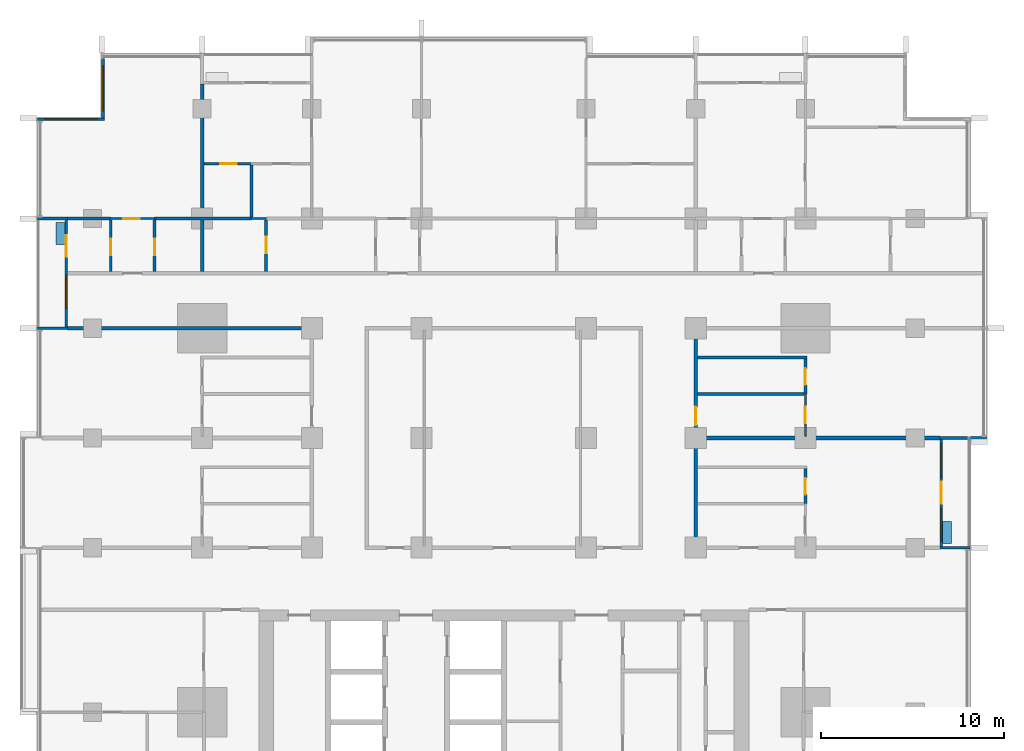
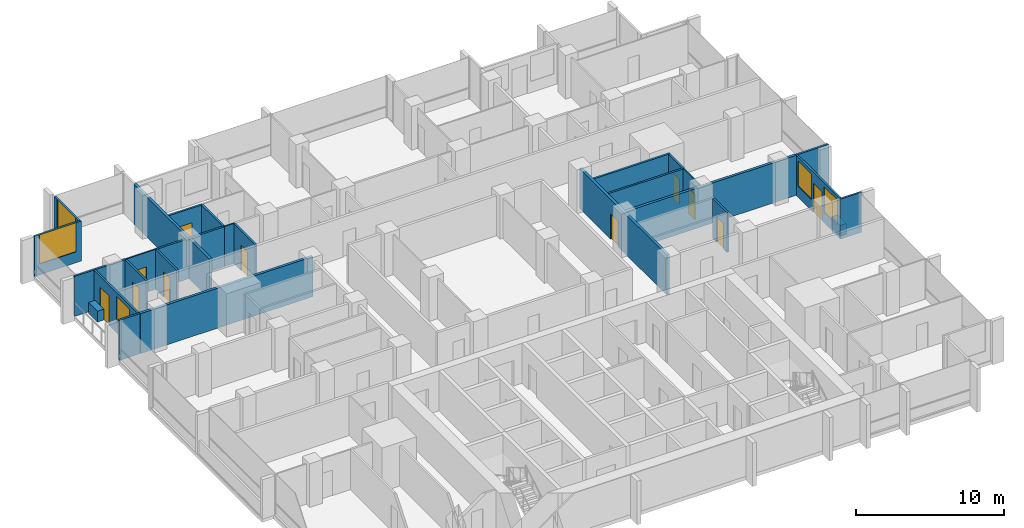
# One storey, part 10 of 17: 29 walls, 11 doors, 5 windows, 16 openings.
"""IFC4 building model written with IfcOpenShell, lengths in metres."""

from ifc_helpers import new_model, si_unit, direction, frame, frame_2d, origin, place, context, subcontext, project, spatial, rectangle, extrude, material, layer, layer_set, type_object, element, fill, save


model = new_model("IFC4")

# Units and contexts
model_context = context("Model", 3, precision=1e-05, world=origin(), true_north=direction((0.0, 1.0)))
body_context = subcontext(model_context, "Body", "Model", "MODEL_VIEW")
ifc_project = project(units=[si_unit("LENGTHUNIT", "METRE"), si_unit("AREAUNIT", "SQUARE_METRE"), si_unit("VOLUMEUNIT", "CUBIC_METRE"), si_unit("PLANEANGLEUNIT", "RADIAN"), si_unit("MASSUNIT", "GRAM", prefix="KILO")], contexts=[model_context])

# Site, building, storey
site_placement = place(None, origin())
site = spatial("IfcSite", under=ifc_project, at=site_placement, CompositionType="ELEMENT")
building_placement = place(site_placement, origin())
building = spatial("IfcBuilding", under=site, at=building_placement, Name="Finial Court Residences", CompositionType="ELEMENT")
storey_placement = place(building_placement, frame((0.0, 0.0, 120.699951171875)))
storey = spatial("IfcBuildingStorey", under=building, at=storey_placement, Name="L30", CompositionType="ELEMENT", Elevation=120.699951171875)

# Walls
ifc_material_1 = material(Name="Gypsum board")
ifc_layer_1 = layer(ifc_material_1, 0.02490234375)
ifc_material_2 = material(Name="Acoustic mineral wool in double frame")
ifc_layer_2 = layer(ifc_material_2, 0.14990234375)
ifc_layer_3 = layer(ifc_material_1, 0.02490234375)
ifc_layer_set_1 = layer_set([ifc_layer_1, ifc_layer_2, ifc_layer_3], Name="Acoustic party wall 200, 1 hour")
wall_type_1 = type_object("IfcWallType", Name="Acoustic party wall 200, 1 hour", PredefinedType="PARTITIONING", material=ifc_layer_set_1)
wall_1_placement = place(storey_placement, frame((10.60009765625, 1.5, 0.0), z_axis=(0.0, 0.0, 1.0), x_axis=(1.0, 0.0, 0.0)))
element("IfcWall", 1, at=wall_1_placement, inside=storey, type_object=wall_type_1, Name="Partition L30-018", PredefinedType="PARTITIONING", context=body_context, shape_type="SweptSolid", body=[
    extrude(rectangle(XDim=13.25, YDim=0.199951171875, at=frame_2d((6.625, 0.0))), origin(), (0.0, 0.0, 1.0), 3.300048828125),
])
wall_2_placement = place(storey_placement, frame((-16.5, 10.60009765625, 0.0), z_axis=(0.0, 0.0, 1.0), x_axis=(0.0, 1.0, 0.0)))
element("IfcWall", 2, at=wall_2_placement, inside=storey, type_object=wall_type_1, Name="Partition L30-048", PredefinedType="PARTITIONING", context=body_context, shape_type="SweptSolid", body=[
    extrude(rectangle(XDim=2.824951171875, YDim=0.199951171875, at=frame_2d((1.41259765625, 0.0))), origin(), (0.0, 0.0, 1.0), 3.300048828125),
])
wall_3_placement = place(storey_placement, frame((-16.5, 13.574951171875, 0.0), z_axis=(0.0, 0.0, 1.0), x_axis=(0.0, 1.0, 0.0)))
element("IfcWall", 3, at=wall_3_placement, inside=storey, type_object=wall_type_1, Name="Partition L30-049", PredefinedType="PARTITIONING", context=body_context, shape_type="SweptSolid", body=[
    extrude(rectangle(XDim=7.275146484375, YDim=0.199951171875, at=frame_2d((3.6376953125, 0.0))), origin(), (0.0, 0.0, 1.0), 3.300048828125),
])
ifc_layer_4 = layer(ifc_material_1, 0.02490234375)
ifc_layer_5 = layer(ifc_material_2, 0.14990234375)
ifc_layer_6 = layer(ifc_material_1, 0.02490234375)
ifc_layer_set_2 = layer_set([ifc_layer_4, ifc_layer_5, ifc_layer_6], Name="Corridor wall 200, 1 hour")
wall_type_2 = type_object("IfcWallType", Name="Corridor wall 200, 1 hour", PredefinedType="PARTITIONING", material=ifc_layer_set_2)
wall_4_placement = place(storey_placement, frame((-23.85009765625, 7.5, 0.0), z_axis=(0.0, 0.0, 1.0), x_axis=(1.0, 0.0, 0.0)))
element("IfcWall", 4, at=wall_4_placement, inside=storey, type_object=wall_type_2, Name="Partition L30-023", PredefinedType="PARTITIONING", context=body_context, shape_type="SweptSolid", body=[
    extrude(rectangle(XDim=13.4501953125, YDim=0.199951171875, at=frame_2d((6.72509765625, 0.0))), origin(), (0.0, 0.0, 1.0), 3.300048828125),
])

# Wall, opening, door
wall_5_placement = place(storey_placement, frame((10.5, -4.39990234375, 0.0), z_axis=(0.0, 0.0, 1.0), x_axis=(0.0, 1.0, 0.0)))
wall_5 = element("IfcWall", 5, at=wall_5_placement, inside=storey, type_object=wall_type_2, Name="Partition L30-067", PredefinedType="PARTITIONING", context=body_context, shape_type="SweptSolid", body=[
    extrude(rectangle(XDim=11.7998046875, YDim=0.199951171875, at=frame_2d((5.89990234375, 0.0))), origin(), (0.0, 0.0, 1.0), 3.300048828125),
])
opening_1_placement = place(wall_5_placement, frame((6.60009765625, 0.0, 0.0)))
opening_1 = element("IfcOpeningElement", 6, at=opening_1_placement, cuts=wall_5, Name="Opening L30-D038", PredefinedType="OPENING", context=body_context, shape_type="SweptSolid", body=[
    extrude(rectangle(XDim=1.0, YDim=2.10009765625, at=frame_2d((0.5, 1.050048828125))), frame((0.0, 0.10986328125, 0.0), z_axis=(0.0, -1.0, 0.0), x_axis=(1.0, 0.0, 0.0)), (0.0, 0.0, 1.0), 0.219970703125),
])
ifc_material_3 = material(Name="Timber door leaf in hollow metal frame", Category="wood")
door_type_1 = type_object("IfcDoorType", Name="Fire door set 1000 x 2100, 30 minutes", OperationType="SINGLE_SWING_LEFT", PredefinedType="DOOR", material=ifc_material_3)
door_1_placement = place(opening_1_placement, origin())
door_1 = element("IfcDoor", 7, at=door_1_placement, inside=storey, type_object=door_type_1, Name="Door L30-D038", OperationType="SINGLE_SWING_RIGHT", OverallHeight=2.10009765625, OverallWidth=1.0, PredefinedType="DOOR", context=body_context, shape_type="SweptSolid", body=[
    extrude(rectangle(XDim=1.0, YDim=2.10009765625, at=frame_2d((0.5, 1.050048828125))), frame((0.0, 0.02490234375, 0.0), z_axis=(0.0, -1.0, 0.0), x_axis=(1.0, 0.0, 0.0)), (0.0, 0.0, 1.0), 0.050048828125),
])
fill(opening_1, door_1)

ifc_layer_7 = layer(ifc_material_1, 0.012451171875)
ifc_material_4 = material(Name="Mineral wool in light-gauge frame")
ifc_layer_8 = layer(ifc_material_4, 0.074951171875)
ifc_layer_9 = layer(ifc_material_1, 0.012451171875)
ifc_layer_set_3 = layer_set([ifc_layer_7, ifc_layer_8, ifc_layer_9], Name="Gypsum board partition 100")
wall_type_3 = type_object("IfcWallType", Name="Gypsum board partition 100", PredefinedType="PARTITIONING", material=ifc_layer_set_3)
wall_6_placement = place(storey_placement, frame((-21.5, 13.5, 0.0), z_axis=(0.0, 0.0, 1.0), x_axis=(1.0, 0.0, 0.0)))
wall_6 = element("IfcWall", 8, at=wall_6_placement, inside=storey, type_object=wall_type_3, Name="Partition L30-027", PredefinedType="PARTITIONING", context=body_context, shape_type="SweptSolid", body=[
    extrude(rectangle(XDim=2.39990234375, YDim=0.10009765625, at=frame_2d((1.199951171875, 0.0))), origin(), (0.0, 0.0, 1.0), 3.300048828125),
])
opening_2_placement = place(wall_6_placement, frame((0.699951171875, 0.0, 0.0)))
opening_2 = element("IfcOpeningElement", 9, at=opening_2_placement, cuts=wall_6, Name="Opening L30-D015", PredefinedType="OPENING", context=body_context, shape_type="SweptSolid", body=[
    extrude(rectangle(XDim=0.89990234375, YDim=2.10009765625, at=frame_2d((0.449951171875, 1.050048828125))), frame((0.0, 0.06005859375, 0.0), z_axis=(0.0, -1.0, 0.0), x_axis=(1.0, 0.0, 0.0)), (0.0, 0.0, 1.0), 0.1201171875),
])
ifc_material_5 = material(Name="Timber door leaf in timber frame", Category="wood")
door_type_2 = type_object("IfcDoorType", Name="Door set 900 x 2100", OperationType="SINGLE_SWING_LEFT", PredefinedType="DOOR", material=ifc_material_5)
door_2_placement = place(opening_2_placement, origin())
door_2 = element("IfcDoor", 10, at=door_2_placement, inside=storey, type_object=door_type_2, Name="Door L30-D015", OperationType="SINGLE_SWING_RIGHT", OverallHeight=2.10009765625, OverallWidth=0.89990234375, PredefinedType="DOOR", context=body_context, shape_type="SweptSolid", body=[
    extrude(rectangle(XDim=0.89990234375, YDim=2.10009765625, at=frame_2d((0.449951171875, 1.050048828125))), frame((0.0, 0.02490234375, 0.0), z_axis=(0.0, -1.0, 0.0), x_axis=(1.0, 0.0, 0.0)), (0.0, 0.0, 1.0), 0.050048828125),
])
fill(opening_2, door_2)

# Wall
wall_7_placement = place(storey_placement, frame((-13.800048828125, 13.5, 0.0), z_axis=(0.0, 0.0, 1.0), x_axis=(1.0, 0.0, 0.0)))
element("IfcWall", 11, at=wall_7_placement, inside=storey, type_object=wall_type_3, Name="Partition L30-028", PredefinedType="PARTITIONING", context=body_context, shape_type="SweptSolid", body=[
    extrude(rectangle(XDim=0.800048828125, YDim=0.10009765625, at=frame_2d((0.39990234375, 0.0))), origin(), (0.0, 0.0, 1.0), 3.300048828125),
])

# Wall, opening, door
wall_8_placement = place(storey_placement, frame((16.5, 1.60009765625, 0.0), z_axis=(0.0, 0.0, 1.0), x_axis=(0.0, 1.0, 0.0)))
wall_8 = element("IfcWall", 12, at=wall_8_placement, inside=storey, type_object=wall_type_3, Name="Partition L30-077", PredefinedType="PARTITIONING", context=body_context, shape_type="SweptSolid", body=[
    extrude(rectangle(XDim=2.2998046875, YDim=0.10009765625, at=frame_2d((1.14990234375, 0.0))), origin(), (0.0, 0.0, 1.0), 3.300048828125),
])
opening_3_placement = place(wall_8_placement, frame((0.699951171875, 0.0, 0.0)))
opening_3 = element("IfcOpeningElement", 13, at=opening_3_placement, cuts=wall_8, Name="Opening L30-D045", PredefinedType="OPENING", context=body_context, shape_type="SweptSolid", body=[
    extrude(rectangle(XDim=0.89990234375, YDim=2.10009765625, at=frame_2d((0.449951171875, 1.050048828125))), frame((0.0, 0.06005859375, 0.0), z_axis=(0.0, -1.0, 0.0), x_axis=(1.0, 0.0, 0.0)), (0.0, 0.0, 1.0), 0.1201171875),
])
door_3_placement = place(opening_3_placement, origin())
door_3 = element("IfcDoor", 14, at=door_3_placement, inside=storey, type_object=door_type_2, Name="Door L30-D045", OperationType="SINGLE_SWING_RIGHT", OverallHeight=2.10009765625, OverallWidth=0.89990234375, PredefinedType="DOOR", context=body_context, shape_type="SweptSolid", body=[
    extrude(rectangle(XDim=0.89990234375, YDim=2.10009765625, at=frame_2d((0.449951171875, 1.050048828125))), frame((0.0, 0.02490234375, 0.0), z_axis=(0.0, -1.0, 0.0), x_axis=(1.0, 0.0, 0.0)), (0.0, 0.0, 1.0), 0.050048828125),
])
fill(opening_3, door_3)

# Walls
ifc_material_6 = material(Name="Moisture-resistant gypsum board")
ifc_layer_10 = layer(ifc_material_6, 0.012451171875)
ifc_layer_11 = layer(ifc_material_4, 0.125)
ifc_layer_12 = layer(ifc_material_6, 0.012451171875)
ifc_layer_set_4 = layer_set([ifc_layer_10, ifc_layer_11, ifc_layer_12], Name="Gypsum board wet-area partition 150")
wall_type_4 = type_object("IfcWallType", Name="Gypsum board wet-area partition 150", PredefinedType="PARTITIONING", material=ifc_layer_set_4)
wall_9_placement = place(storey_placement, frame((10.60009765625, 3.89990234375, 0.0), z_axis=(0.0, 0.0, 1.0), x_axis=(1.0, 0.0, 0.0)))
element("IfcWall", 15, at=wall_9_placement, inside=storey, type_object=wall_type_4, Name="Partition L30-020", PredefinedType="PARTITIONING", context=body_context, shape_type="SweptSolid", body=[
    extrude(rectangle(XDim=5.824951171875, YDim=0.14990234375, at=frame_2d((2.91259765625, 0.0))), origin(), (0.0, 0.0, 1.0), 3.300048828125),
])
wall_10_placement = place(storey_placement, frame((10.60009765625, 5.89990234375, 0.0), z_axis=(0.0, 0.0, 1.0), x_axis=(1.0, 0.0, 0.0)))
element("IfcWall", 16, at=wall_10_placement, inside=storey, type_object=wall_type_4, Name="Partition L30-022", PredefinedType="PARTITIONING", context=body_context, shape_type="SweptSolid", body=[
    extrude(rectangle(XDim=5.974853515625, YDim=0.14990234375, at=frame_2d((2.9873046875, 0.0))), origin(), (0.0, 0.0, 1.0), 3.300048828125),
])
wall_11_placement = place(storey_placement, frame((-23.85009765625, 13.5, 0.0), z_axis=(0.0, 0.0, 1.0), x_axis=(1.0, 0.0, 0.0)))
element("IfcWall", 17, at=wall_11_placement, inside=storey, type_object=wall_type_4, Name="Partition L30-033", PredefinedType="PARTITIONING", context=body_context, shape_type="SweptSolid", body=[
    extrude(rectangle(XDim=2.35009765625, YDim=0.14990234375, at=frame_2d((1.175048828125, 0.0))), origin(), (0.0, 0.0, 1.0), 3.300048828125),
])
wall_12_placement = place(storey_placement, frame((-19.10009765625, 13.5, 0.0), z_axis=(0.0, 0.0, 1.0), x_axis=(1.0, 0.0, 0.0)))
element("IfcWall", 18, at=wall_12_placement, inside=storey, type_object=wall_type_4, Name="Partition L30-034", PredefinedType="PARTITIONING", context=body_context, shape_type="SweptSolid", body=[
    extrude(rectangle(XDim=5.300048828125, YDim=0.14990234375, at=frame_2d((2.64990234375, 0.0))), origin(), (0.0, 0.0, 1.0), 3.300048828125),
])

# Wall, opening, door
wall_13_placement = place(storey_placement, frame((-16.39990234375, 16.5, 0.0), z_axis=(0.0, 0.0, 1.0), x_axis=(1.0, 0.0, 0.0)))
wall_13 = element("IfcWall", 19, at=wall_13_placement, inside=storey, type_object=wall_type_4, Name="Partition L30-041", PredefinedType="PARTITIONING", context=body_context, shape_type="SweptSolid", body=[
    extrude(rectangle(XDim=2.599853515625, YDim=0.14990234375, at=frame_2d((1.2998046875, 0.0))), origin(), (0.0, 0.0, 1.0), 3.300048828125),
])
opening_4_placement = place(wall_13_placement, frame((0.89990234375, 0.0, 0.0)))
opening_4 = element("IfcOpeningElement", 20, at=opening_4_placement, cuts=wall_13, Name="Opening L30-D020", PredefinedType="OPENING", context=body_context, shape_type="SweptSolid", body=[
    extrude(rectangle(XDim=0.89990234375, YDim=2.10009765625, at=frame_2d((0.449951171875, 1.050048828125))), frame((0.0, 0.0849609375, 0.0), z_axis=(0.0, -1.0, 0.0), x_axis=(1.0, 0.0, 0.0)), (0.0, 0.0, 1.0), 0.169921875),
])
door_4_placement = place(opening_4_placement, origin())
door_4 = element("IfcDoor", 21, at=door_4_placement, inside=storey, type_object=door_type_2, Name="Door L30-D020", OperationType="SINGLE_SWING_RIGHT", OverallHeight=2.10009765625, OverallWidth=0.89990234375, PredefinedType="DOOR", context=body_context, shape_type="SweptSolid", body=[
    extrude(rectangle(XDim=0.89990234375, YDim=2.10009765625, at=frame_2d((0.449951171875, 1.050048828125))), frame((0.0, 0.02490234375, 0.0), z_axis=(0.0, -1.0, 0.0), x_axis=(1.0, 0.0, 0.0)), (0.0, 0.0, 1.0), 0.050048828125),
])
fill(opening_4, door_4)

wall_14_placement = place(storey_placement, frame((-21.5, 10.60009765625, 0.0), z_axis=(0.0, 0.0, 1.0), x_axis=(0.0, 1.0, 0.0)))
wall_14 = element("IfcWall", 22, at=wall_14_placement, inside=storey, type_object=wall_type_4, Name="Partition L30-043", PredefinedType="PARTITIONING", context=body_context, shape_type="SweptSolid", body=[
    extrude(rectangle(XDim=2.824951171875, YDim=0.14990234375, at=frame_2d((1.41259765625, 0.0))), origin(), (0.0, 0.0, 1.0), 3.300048828125),
])
opening_5_placement = place(wall_14_placement, frame((0.89990234375, 0.0, 0.0)))
opening_5 = element("IfcOpeningElement", 23, at=opening_5_placement, cuts=wall_14, Name="Opening L30-D022", PredefinedType="OPENING", context=body_context, shape_type="SweptSolid", body=[
    extrude(rectangle(XDim=0.89990234375, YDim=2.10009765625, at=frame_2d((0.449951171875, 1.050048828125))), frame((0.0, 0.0849609375, 0.0), z_axis=(0.0, -1.0, 0.0), x_axis=(1.0, 0.0, 0.0)), (0.0, 0.0, 1.0), 0.169921875),
])
door_5_placement = place(opening_5_placement, origin())
door_5 = element("IfcDoor", 24, at=door_5_placement, inside=storey, type_object=door_type_2, Name="Door L30-D022", OperationType="SINGLE_SWING_LEFT", OverallHeight=2.10009765625, OverallWidth=0.89990234375, PredefinedType="DOOR", context=body_context, shape_type="SweptSolid", body=[
    extrude(rectangle(XDim=0.89990234375, YDim=2.10009765625, at=frame_2d((0.449951171875, 1.050048828125))), frame((0.0, 0.02490234375, 0.0), z_axis=(0.0, -1.0, 0.0), x_axis=(1.0, 0.0, 0.0)), (0.0, 0.0, 1.0), 0.050048828125),
])
fill(opening_5, door_5)

wall_15_placement = place(storey_placement, frame((-19.10009765625, 10.60009765625, 0.0), z_axis=(0.0, 0.0, 1.0), x_axis=(0.0, 1.0, 0.0)))
wall_15 = element("IfcWall", 25, at=wall_15_placement, inside=storey, type_object=wall_type_4, Name="Partition L30-045", PredefinedType="PARTITIONING", context=body_context, shape_type="SweptSolid", body=[
    extrude(rectangle(XDim=2.824951171875, YDim=0.14990234375, at=frame_2d((1.41259765625, 0.0))), origin(), (0.0, 0.0, 1.0), 3.300048828125),
])
opening_6_placement = place(wall_15_placement, frame((0.89990234375, 0.0, 0.0)))
opening_6 = element("IfcOpeningElement", 26, at=opening_6_placement, cuts=wall_15, Name="Opening L30-D024", PredefinedType="OPENING", context=body_context, shape_type="SweptSolid", body=[
    extrude(rectangle(XDim=0.89990234375, YDim=2.10009765625, at=frame_2d((0.449951171875, 1.050048828125))), frame((0.0, 0.0849609375, 0.0), z_axis=(0.0, -1.0, 0.0), x_axis=(1.0, 0.0, 0.0)), (0.0, 0.0, 1.0), 0.169921875),
])
door_6_placement = place(opening_6_placement, origin())
door_6 = element("IfcDoor", 27, at=door_6_placement, inside=storey, type_object=door_type_2, Name="Door L30-D024", OperationType="SINGLE_SWING_RIGHT", OverallHeight=2.10009765625, OverallWidth=0.89990234375, PredefinedType="DOOR", context=body_context, shape_type="SweptSolid", body=[
    extrude(rectangle(XDim=0.89990234375, YDim=2.10009765625, at=frame_2d((0.449951171875, 1.050048828125))), frame((0.0, 0.02490234375, 0.0), z_axis=(0.0, -1.0, 0.0), x_axis=(1.0, 0.0, 0.0)), (0.0, 0.0, 1.0), 0.050048828125),
])
fill(opening_6, door_6)

# Wall
wall_16_placement = place(storey_placement, frame((-13.800048828125, 13.574951171875, 0.0), z_axis=(0.0, 0.0, 1.0), x_axis=(0.0, 1.0, 0.0)))
element("IfcWall", 28, at=wall_16_placement, inside=storey, type_object=wall_type_4, Name="Partition L30-054", PredefinedType="PARTITIONING", context=body_context, shape_type="SweptSolid", body=[
    extrude(rectangle(XDim=2.85009765625, YDim=0.14990234375, at=frame_2d((1.425048828125, 0.0))), origin(), (0.0, 0.0, 1.0), 3.300048828125),
])

# Wall, opening, door
wall_17_placement = place(storey_placement, frame((-13.0, 10.60009765625, 0.0), z_axis=(0.0, 0.0, 1.0), x_axis=(0.0, 1.0, 0.0)))
wall_17 = element("IfcWall", 29, at=wall_17_placement, inside=storey, type_object=wall_type_4, Name="Partition L30-055", PredefinedType="PARTITIONING", context=body_context, shape_type="SweptSolid", body=[
    extrude(rectangle(XDim=2.824951171875, YDim=0.14990234375, at=frame_2d((1.41259765625, 0.0))), origin(), (0.0, 0.0, 1.0), 3.300048828125),
])
opening_7_placement = place(wall_17_placement, frame((1.0, 0.0, 0.0)))
opening_7 = element("IfcOpeningElement", 30, at=opening_7_placement, cuts=wall_17, Name="Opening L30-D030", PredefinedType="OPENING", context=body_context, shape_type="SweptSolid", body=[
    extrude(rectangle(XDim=0.89990234375, YDim=2.10009765625, at=frame_2d((0.449951171875, 1.050048828125))), frame((0.0, 0.0849609375, 0.0), z_axis=(0.0, -1.0, 0.0), x_axis=(1.0, 0.0, 0.0)), (0.0, 0.0, 1.0), 0.169921875),
])
door_7_placement = place(opening_7_placement, origin())
door_7 = element("IfcDoor", 31, at=door_7_placement, inside=storey, type_object=door_type_2, Name="Door L30-D030", OperationType="SINGLE_SWING_LEFT", OverallHeight=2.10009765625, OverallWidth=0.89990234375, PredefinedType="DOOR", context=body_context, shape_type="SweptSolid", body=[
    extrude(rectangle(XDim=0.89990234375, YDim=2.10009765625, at=frame_2d((0.449951171875, 1.050048828125))), frame((0.0, 0.02490234375, 0.0), z_axis=(0.0, -1.0, 0.0), x_axis=(1.0, 0.0, 0.0)), (0.0, 0.0, 1.0), 0.050048828125),
])
fill(opening_7, door_7)

wall_18_placement = place(storey_placement, frame((16.5, -2.10009765625, 0.0), z_axis=(0.0, 0.0, 1.0), x_axis=(0.0, 1.0, 0.0)))
wall_18 = element("IfcWall", 32, at=wall_18_placement, inside=storey, type_object=wall_type_4, Name="Partition L30-079", PredefinedType="PARTITIONING", context=body_context, shape_type="SweptSolid", body=[
    extrude(rectangle(XDim=1.925048828125, YDim=0.14990234375, at=frame_2d((0.96240234375, 0.0))), origin(), (0.0, 0.0, 1.0), 3.300048828125),
])
opening_8_placement = place(wall_18_placement, frame((0.5, 0.0, 0.0)))
opening_8 = element("IfcOpeningElement", 33, at=opening_8_placement, cuts=wall_18, Name="Opening L30-D047", PredefinedType="OPENING", context=body_context, shape_type="SweptSolid", body=[
    extrude(rectangle(XDim=0.89990234375, YDim=2.10009765625, at=frame_2d((0.449951171875, 1.050048828125))), frame((0.0, 0.0849609375, 0.0), z_axis=(0.0, -1.0, 0.0), x_axis=(1.0, 0.0, 0.0)), (0.0, 0.0, 1.0), 0.169921875),
])
door_8_placement = place(opening_8_placement, origin())
door_8 = element("IfcDoor", 34, at=door_8_placement, inside=storey, type_object=door_type_2, Name="Door L30-D047", OperationType="SINGLE_SWING_LEFT", OverallHeight=2.10009765625, OverallWidth=0.89990234375, PredefinedType="DOOR", context=body_context, shape_type="SweptSolid", body=[
    extrude(rectangle(XDim=0.89990234375, YDim=2.10009765625, at=frame_2d((0.449951171875, 1.050048828125))), frame((0.0, 0.02490234375, 0.0), z_axis=(0.0, -1.0, 0.0), x_axis=(1.0, 0.0, 0.0)), (0.0, 0.0, 1.0), 0.050048828125),
])
fill(opening_8, door_8)

wall_19_placement = place(storey_placement, frame((16.5, 3.89990234375, 0.0), z_axis=(0.0, 0.0, 1.0), x_axis=(0.0, 1.0, 0.0)))
wall_19 = element("IfcWall", 35, at=wall_19_placement, inside=storey, type_object=wall_type_4, Name="Partition L30-080", PredefinedType="PARTITIONING", context=body_context, shape_type="SweptSolid", body=[
    extrude(rectangle(XDim=1.925048828125, YDim=0.14990234375, at=frame_2d((0.96240234375, 0.0))), origin(), (0.0, 0.0, 1.0), 3.300048828125),
])
opening_9_placement = place(wall_19_placement, frame((0.5, 0.0, 0.0)))
opening_9 = element("IfcOpeningElement", 36, at=opening_9_placement, cuts=wall_19, Name="Opening L30-D048", PredefinedType="OPENING", context=body_context, shape_type="SweptSolid", body=[
    extrude(rectangle(XDim=0.89990234375, YDim=2.10009765625, at=frame_2d((0.449951171875, 1.050048828125))), frame((0.0, 0.0849609375, 0.0), z_axis=(0.0, -1.0, 0.0), x_axis=(1.0, 0.0, 0.0)), (0.0, 0.0, 1.0), 0.169921875),
])
door_9_placement = place(opening_9_placement, origin())
door_9 = element("IfcDoor", 37, at=door_9_placement, inside=storey, type_object=door_type_2, Name="Door L30-D048", OperationType="SINGLE_SWING_LEFT", OverallHeight=2.10009765625, OverallWidth=0.89990234375, PredefinedType="DOOR", context=body_context, shape_type="SweptSolid", body=[
    extrude(rectangle(XDim=0.89990234375, YDim=2.10009765625, at=frame_2d((0.449951171875, 1.050048828125))), frame((0.0, 0.02490234375, 0.0), z_axis=(0.0, -1.0, 0.0), x_axis=(1.0, 0.0, 0.0)), (0.0, 0.0, 1.0), 0.050048828125),
])
fill(opening_9, door_9)

# Wall, opening, window
ifc_material_7 = material(Name="Natural limestone", Category="masonry")
ifc_layer_13 = layer(ifc_material_7, 0.14990234375)
ifc_layer_set_5 = layer_set([ifc_layer_13], Name="Limestone clad wall 150")
wall_type_5 = type_object("IfcWallType", Name="Limestone clad wall 150", PredefinedType="SOLIDWALL", material=ifc_layer_set_5)
wall_20_placement = place(storey_placement, frame((-21.925048828125, 19.0, 0.0), z_axis=(0.0, 0.0, 1.0), x_axis=(0.0, 1.0, 0.0)))
wall_20 = element("IfcWall", 38, at=wall_20_placement, inside=storey, type_object=wall_type_5, Name="E-L30-NWW20", PredefinedType="SOLIDWALL", context=body_context, shape_type="SweptSolid", body=[
    extrude(rectangle(XDim=3.25, YDim=0.14990234375, at=frame_2d((1.625, 0.0))), origin(), (0.0, 0.0, 1.0), 3.300048828125),
])
opening_10_placement = place(wall_20_placement, frame((0.39990234375, 0.0, 0.89990234375)))
opening_10 = element("IfcOpeningElement", 39, at=opening_10_placement, cuts=wall_20, Name="Opening WE30-05", PredefinedType="OPENING", context=body_context, shape_type="SweptSolid", body=[
    extrude(rectangle(XDim=2.449951171875, YDim=2.39990234375, at=frame_2d((1.22509765625, 1.199951171875))), frame((0.0, 0.0849609375, 0.0), z_axis=(0.0, -1.0, 0.0), x_axis=(1.0, 0.0, 0.0)), (0.0, 0.0, 1.0), 0.169921875),
])
ifc_material_8 = material(Name="Clear low-e glass", Category="glass")
window_type_1 = type_object("IfcWindowType", Name="Corner window 2450 x 2400", PartitioningType="SINGLE_PANEL", PredefinedType="WINDOW", material=ifc_material_8)
window_1_placement = place(opening_10_placement, origin())
window_1 = element("IfcWindow", 40, at=window_1_placement, inside=storey, type_object=window_type_1, Name="E-L30-NWW20-W1", OverallHeight=2.39990234375, OverallWidth=2.449951171875, PartitioningType="SINGLE_PANEL", PredefinedType="WINDOW", context=body_context, shape_type="SweptSolid", body=[
    extrude(rectangle(XDim=2.449951171875, YDim=2.39990234375, at=frame_2d((1.22509765625, 1.199951171875))), frame((0.0, 0.030029296875, 0.0), z_axis=(0.0, -1.0, 0.0), x_axis=(1.0, 0.0, 0.0)), (0.0, 0.0, 1.0), 0.06005859375),
])
fill(opening_10, window_1)

wall_21_placement = place(storey_placement, frame((-25.5, 18.925048828125, 0.0), z_axis=(0.0, 0.0, 1.0), x_axis=(1.0, 0.0, 0.0)))
wall_21 = element("IfcWall", 41, at=wall_21_placement, inside=storey, type_object=wall_type_5, Name="E-L30-NWN21", PredefinedType="SOLIDWALL", context=body_context, shape_type="SweptSolid", body=[
    extrude(rectangle(XDim=3.64990234375, YDim=0.14990234375, at=frame_2d((1.824951171875, 0.0))), origin(), (0.0, 0.0, 1.0), 3.300048828125),
])
opening_11_placement = place(wall_21_placement, frame((0.39990234375, 0.0, 0.89990234375)))
opening_11 = element("IfcOpeningElement", 42, at=opening_11_placement, cuts=wall_21, Name="Opening WE30-06", PredefinedType="OPENING", context=body_context, shape_type="SweptSolid", body=[
    extrude(rectangle(XDim=2.85009765625, YDim=2.39990234375, at=frame_2d((1.425048828125, 1.199951171875))), frame((0.0, 0.0849609375, 0.0), z_axis=(0.0, -1.0, 0.0), x_axis=(1.0, 0.0, 0.0)), (0.0, 0.0, 1.0), 0.169921875),
])
window_type_2 = type_object("IfcWindowType", Name="Corner window 2850 x 2400", PartitioningType="SINGLE_PANEL", PredefinedType="WINDOW", material=ifc_material_8)
window_2_placement = place(opening_11_placement, origin())
window_2 = element("IfcWindow", 43, at=window_2_placement, inside=storey, type_object=window_type_2, Name="E-L30-NWN21-W1", OverallHeight=2.39990234375, OverallWidth=2.85009765625, PartitioningType="SINGLE_PANEL", PredefinedType="WINDOW", context=body_context, shape_type="SweptSolid", body=[
    extrude(rectangle(XDim=2.85009765625, YDim=2.39990234375, at=frame_2d((1.425048828125, 1.199951171875))), frame((0.0, 0.030029296875, 0.0), z_axis=(0.0, -1.0, 0.0), x_axis=(1.0, 0.0, 0.0)), (0.0, 0.0, 1.0), 0.06005859375),
])
fill(opening_11, window_2)

# Walls
wall_22_placement = place(storey_placement, frame((23.85009765625, -4.5, 0.0), z_axis=(0.0, 0.0, 1.0), x_axis=(1.0, 0.0, 0.0)))
element("IfcWall", 44, at=wall_22_placement, inside=storey, type_object=wall_type_5, Name="E-L30-BALE3-P1", PredefinedType="SOLIDWALL", context=body_context, shape_type="SweptSolid", body=[
    extrude(rectangle(XDim=1.64990234375, YDim=0.14990234375, at=frame_2d((0.824951171875, 0.0))), origin(), (0.0, 0.0, 1.0), 3.300048828125),
])
wall_23_placement = place(storey_placement, frame((23.85009765625, 1.5, 0.0), z_axis=(0.0, 0.0, 1.0), x_axis=(1.0, 0.0, 0.0)))
element("IfcWall", 45, at=wall_23_placement, inside=storey, type_object=wall_type_5, Name="E-L30-BALE3-P2", PredefinedType="SOLIDWALL", context=body_context, shape_type="SweptSolid", body=[
    extrude(rectangle(XDim=2.5498046875, YDim=0.14990234375, at=frame_2d((1.27490234375, 0.0))), origin(), (0.0, 0.0, 1.0), 3.300048828125),
])

# Wall, openings, door, windows
wall_24_placement = place(storey_placement, frame((23.925048828125, 1.425048828125, 0.0), z_axis=(0.0, 0.0, 1.0), x_axis=(0.0, -1.0, 0.0)))
wall_24 = element("IfcWall", 46, at=wall_24_placement, inside=storey, type_object=wall_type_5, Name="E-L30-L30-BALE3-W", PredefinedType="SOLIDWALL", context=body_context, shape_type="SweptSolid", body=[
    extrude(rectangle(XDim=5.85009765625, YDim=0.14990234375, at=frame_2d((2.925048828125, 0.0))), origin(), (0.0, 0.0, 1.0), 3.300048828125),
])
opening_12_placement = place(wall_24_placement, frame((2.324951171875, 0.0, 0.0)))
opening_12 = element("IfcOpeningElement", 47, at=opening_12_placement, cuts=wall_24, Name="Opening DE30-03", PredefinedType="OPENING", context=body_context, shape_type="SweptSolid", body=[
    extrude(rectangle(XDim=1.199951171875, YDim=2.39990234375, at=frame_2d((0.60009765625, 1.199951171875))), frame((0.0, 0.0849609375, 0.0), z_axis=(0.0, -1.0, 0.0), x_axis=(1.0, 0.0, 0.0)), (0.0, 0.0, 1.0), 0.169921875),
])
opening_13_placement = place(wall_24_placement, frame((3.78759765625, 0.0, 0.89990234375)))
opening_13 = element("IfcOpeningElement", 48, at=opening_13_placement, cuts=wall_24, Name="Opening WE30-13", PredefinedType="OPENING", context=body_context, shape_type="SweptSolid", body=[
    extrude(rectangle(XDim=1.800048828125, YDim=2.10009765625, at=frame_2d((0.89990234375, 1.050048828125))), frame((0.0, 0.0849609375, 0.0), z_axis=(0.0, -1.0, 0.0), x_axis=(1.0, 0.0, 0.0)), (0.0, 0.0, 1.0), 0.169921875),
])
opening_14_placement = place(wall_24_placement, frame((0.262451171875, 0.0, 0.89990234375)))
opening_14 = element("IfcOpeningElement", 49, at=opening_14_placement, cuts=wall_24, Name="Opening WE30-14", PredefinedType="OPENING", context=body_context, shape_type="SweptSolid", body=[
    extrude(rectangle(XDim=1.800048828125, YDim=2.10009765625, at=frame_2d((0.89990234375, 1.050048828125))), frame((0.0, 0.0849609375, 0.0), z_axis=(0.0, -1.0, 0.0), x_axis=(1.0, 0.0, 0.0)), (0.0, 0.0, 1.0), 0.169921875),
])
ifc_material_9 = material(Name="Bronze anodised aluminium", Category="aluminium")
door_type_3 = type_object("IfcDoorType", Name="Balcony door 1200 x 2400", OperationType="SINGLE_SWING_LEFT", PredefinedType="DOOR", material=ifc_material_9)
door_10_placement = place(opening_12_placement, origin())
door_10 = element("IfcDoor", 50, at=door_10_placement, inside=storey, type_object=door_type_3, Name="E-L30-L30-BALE3-W-D", OperationType="SINGLE_SWING_LEFT", OverallHeight=2.39990234375, OverallWidth=1.199951171875, PredefinedType="DOOR", context=body_context, shape_type="SweptSolid", body=[
    extrude(rectangle(XDim=1.199951171875, YDim=2.39990234375, at=frame_2d((0.60009765625, 1.199951171875))), frame((0.0, 0.02490234375, 0.0), z_axis=(0.0, -1.0, 0.0), x_axis=(1.0, 0.0, 0.0)), (0.0, 0.0, 1.0), 0.050048828125),
])
fill(opening_12, door_10)
window_type_3 = type_object("IfcWindowType", Name="Balcony window 1800 x 2100", PartitioningType="SINGLE_PANEL", PredefinedType="WINDOW", material=ifc_material_8)
window_3_placement = place(opening_13_placement, origin())
window_3 = element("IfcWindow", 51, at=window_3_placement, inside=storey, type_object=window_type_3, Name="E-L30-L30-BALE3-W-W1", OverallHeight=2.10009765625, OverallWidth=1.800048828125, PartitioningType="SINGLE_PANEL", PredefinedType="WINDOW", context=body_context, shape_type="SweptSolid", body=[
    extrude(rectangle(XDim=1.800048828125, YDim=2.10009765625, at=frame_2d((0.89990234375, 1.050048828125))), frame((0.0, 0.030029296875, 0.0), z_axis=(0.0, -1.0, 0.0), x_axis=(1.0, 0.0, 0.0)), (0.0, 0.0, 1.0), 0.06005859375),
])
fill(opening_13, window_3)
window_4_placement = place(opening_14_placement, origin())
window_4 = element("IfcWindow", 52, at=window_4_placement, inside=storey, type_object=window_type_3, Name="E-L30-L30-BALE3-W-W2", OverallHeight=2.10009765625, OverallWidth=1.800048828125, PartitioningType="SINGLE_PANEL", PredefinedType="WINDOW", context=body_context, shape_type="SweptSolid", body=[
    extrude(rectangle(XDim=1.800048828125, YDim=2.10009765625, at=frame_2d((0.89990234375, 1.050048828125))), frame((0.0, 0.030029296875, 0.0), z_axis=(0.0, -1.0, 0.0), x_axis=(1.0, 0.0, 0.0)), (0.0, 0.0, 1.0), 0.06005859375),
])
fill(opening_14, window_4)

# Walls
for number, where, z_axis, x_axis, name in (
    (53, (-23.85009765625, 7.5, 0.0), (0.0, 0.0, 1.0), (-1.0, 0.0, 0.0), "E-L30-BALW5-P1"),
    (54, (-23.85009765625, 13.5, 0.0), (0.0, 0.0, 1.0), (-1.0, 0.0, 0.0), "E-L30-BALW5-P2"),
):
    element("IfcWall", number, at=place(storey_placement, frame(where, z_axis=z_axis, x_axis=x_axis)), inside=storey, type_object=wall_type_5, Name=name, PredefinedType="SOLIDWALL", context=body_context, shape_type="SweptSolid", body=[
        extrude(rectangle(XDim=1.64990234375, YDim=0.14990234375, at=frame_2d((0.824951171875, 0.0))), origin(), (0.0, 0.0, 1.0), 3.300048828125),
    ])

# Wall, openings, door, window
wall_25_placement = place(storey_placement, frame((-23.925048828125, 7.574951171875, 0.0), z_axis=(0.0, 0.0, 1.0), x_axis=(0.0, 1.0, 0.0)))
wall_25 = element("IfcWall", 55, at=wall_25_placement, inside=storey, type_object=wall_type_5, Name="E-L30-L30-BALW5-W", PredefinedType="SOLIDWALL", context=body_context, shape_type="SweptSolid", body=[
    extrude(rectangle(XDim=5.85009765625, YDim=0.14990234375, at=frame_2d((2.925048828125, 0.0))), origin(), (0.0, 0.0, 1.0), 3.300048828125),
])
opening_15_placement = place(wall_25_placement, frame((3.824951171875, 0.0, 0.0)))
opening_15 = element("IfcOpeningElement", 56, at=opening_15_placement, cuts=wall_25, Name="Opening DE30-04", PredefinedType="OPENING", context=body_context, shape_type="SweptSolid", body=[
    extrude(rectangle(XDim=1.199951171875, YDim=2.39990234375, at=frame_2d((0.60009765625, 1.199951171875))), frame((0.0, 0.0849609375, 0.0), z_axis=(0.0, -1.0, 0.0), x_axis=(1.0, 0.0, 0.0)), (0.0, 0.0, 1.0), 0.169921875),
])
opening_16_placement = place(wall_25_placement, frame((1.012451171875, 0.0, 0.89990234375)))
opening_16 = element("IfcOpeningElement", 57, at=opening_16_placement, cuts=wall_25, Name="Opening WE30-15", PredefinedType="OPENING", context=body_context, shape_type="SweptSolid", body=[
    extrude(rectangle(XDim=1.800048828125, YDim=2.10009765625, at=frame_2d((0.89990234375, 1.050048828125))), frame((0.0, 0.0849609375, 0.0), z_axis=(0.0, -1.0, 0.0), x_axis=(1.0, 0.0, 0.0)), (0.0, 0.0, 1.0), 0.169921875),
])
door_11_placement = place(opening_15_placement, origin())
door_11 = element("IfcDoor", 58, at=door_11_placement, inside=storey, type_object=door_type_3, Name="E-L30-L30-BALW5-W-D", OperationType="SINGLE_SWING_RIGHT", OverallHeight=2.39990234375, OverallWidth=1.199951171875, PredefinedType="DOOR", context=body_context, shape_type="SweptSolid", body=[
    extrude(rectangle(XDim=1.199951171875, YDim=2.39990234375, at=frame_2d((0.60009765625, 1.199951171875))), frame((0.0, 0.02490234375, 0.0), z_axis=(0.0, -1.0, 0.0), x_axis=(1.0, 0.0, 0.0)), (0.0, 0.0, 1.0), 0.050048828125),
])
fill(opening_15, door_11)
window_5_placement = place(opening_16_placement, origin())
window_5 = element("IfcWindow", 59, at=window_5_placement, inside=storey, type_object=window_type_3, Name="E-L30-L30-BALW5-W-W1", OverallHeight=2.10009765625, OverallWidth=1.800048828125, PartitioningType="SINGLE_PANEL", PredefinedType="WINDOW", context=body_context, shape_type="SweptSolid", body=[
    extrude(rectangle(XDim=1.800048828125, YDim=2.10009765625, at=frame_2d((0.89990234375, 1.050048828125))), frame((0.0, 0.030029296875, 0.0), z_axis=(0.0, -1.0, 0.0), x_axis=(1.0, 0.0, 0.0)), (0.0, 0.0, 1.0), 0.06005859375),
])
fill(opening_16, window_5)

# Walls
ifc_material_10 = material(Name="Concrete C40/50", Category="concrete")
ifc_layer_14 = layer(ifc_material_10, 0.10009765625)
ifc_material_11 = material(Name="Planting soil", Category="soil")
ifc_layer_15 = layer(ifc_material_11, 0.300048828125)
ifc_layer_16 = layer(ifc_material_10, 0.10009765625)
ifc_layer_set_6 = layer_set([ifc_layer_14, ifc_layer_15, ifc_layer_16], Name="Planter wall, balcony")
wall_type_6 = type_object("IfcWallType", Name="Planter wall, balcony", PredefinedType="USERDEFINED", material=ifc_layer_set_6)
for number, where, z_axis, x_axis, name in (
    (60, (24.25, -4.27490234375, 0.0), (0.0, 0.0, 1.0), (0.0, 1.0, 0.0), "E-L30-BALE3-PL"),
    (61, (-24.25, 12.074951171875, 0.0), (0.0, 0.0, 1.0), (0.0, 1.0, 0.0), "E-L30-BALW5-PL"),
):
    element("IfcWall", number, at=place(storey_placement, frame(where, z_axis=z_axis, x_axis=x_axis)), inside=storey, type_object=wall_type_6, Name=name, ObjectType="PLANTER", PredefinedType="USERDEFINED", context=body_context, shape_type="SweptSolid", body=[
        extrude(rectangle(XDim=1.199951171875, YDim=0.5, at=frame_2d((0.60009765625, 0.0))), origin(), (0.0, 0.0, 1.0), 0.900146484375),
    ])

save(model, "model.ifc")
